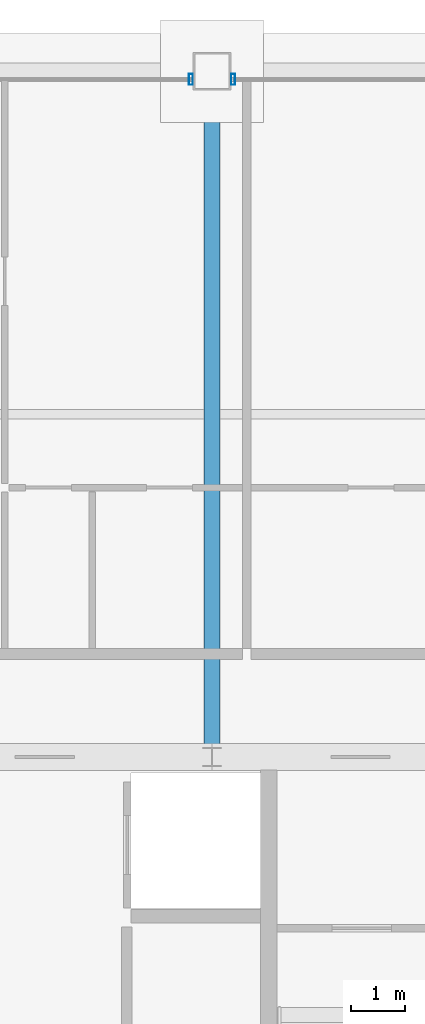
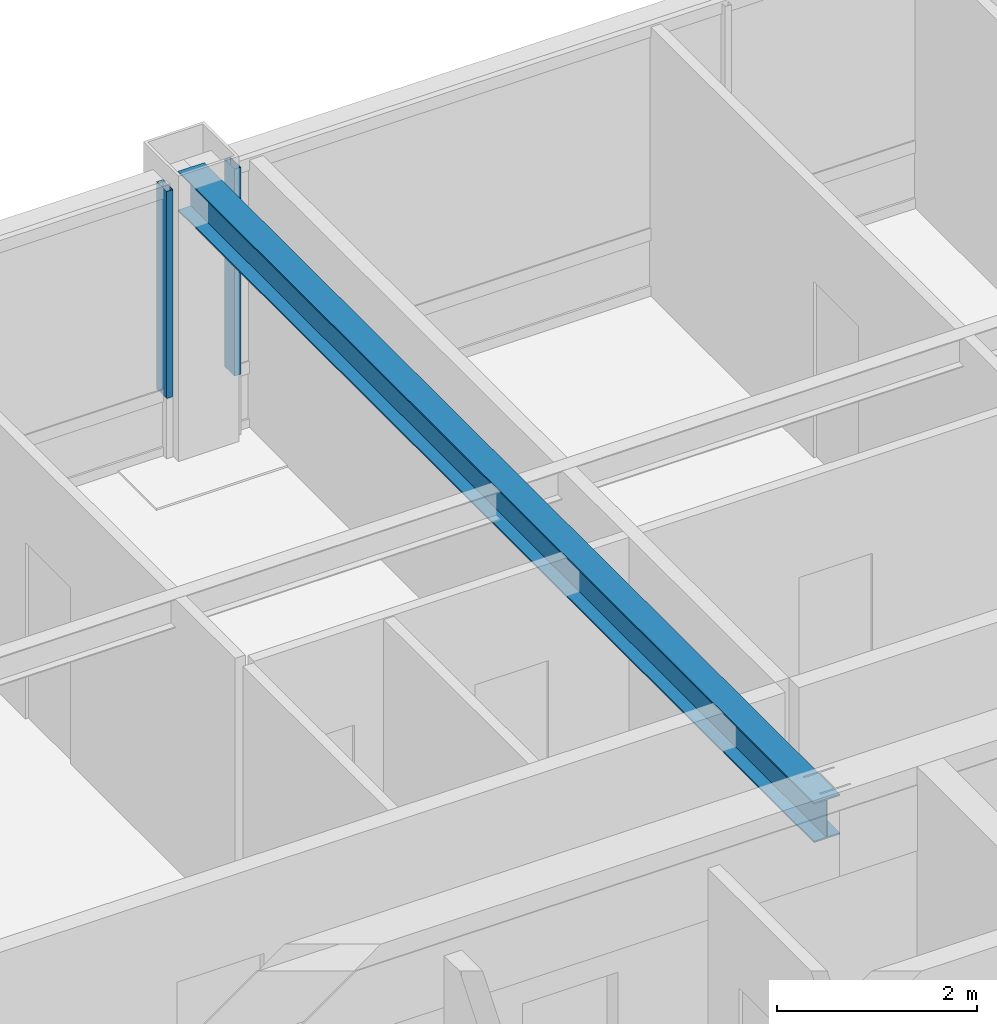
# One storey, part 18 of 35: 2 members, 1 beam, 2 elements without a shape of their own.
"""IFC4 building model written with IfcOpenShell, lengths in metres."""

from ifc_helpers import new_model, si_unit, direction, frame, origin, origin_2d, place, context, subcontext, project, spatial, hollow_rectangle, i_section, extrude, source, transform, mapped, material, layer, layer_set, material_profile, profile_set, type_object, element, aggregate, save


model = new_model("IFC4")

# Units and contexts
model_context = context("Model", 3, precision=1e-05, world=origin(), true_north=direction((0.0, 1.0)))
body_context = subcontext(model_context, "Body", "Model", "MODEL_VIEW")
ifc_project = project(units=[si_unit("LENGTHUNIT", "METRE"), si_unit("AREAUNIT", "SQUARE_METRE"), si_unit("VOLUMEUNIT", "CUBIC_METRE"), si_unit("PLANEANGLEUNIT", "RADIAN"), si_unit("MASSUNIT", "GRAM", prefix="KILO"), si_unit("THERMODYNAMICTEMPERATUREUNIT", "KELVIN"), si_unit("POWERUNIT", "WATT")], contexts=[model_context])

# Site, building, storey
site_placement = place(None, origin())
site = spatial("IfcSite", under=ifc_project, at=site_placement, CompositionType="ELEMENT")
building_placement = place(site_placement, origin())
building = spatial("IfcBuilding", under=site, at=building_placement, Name="Yuzanri Waterfront Tower", CompositionType="ELEMENT")
storey_placement = place(building_placement, frame((0.0, 0.0, 285.60009765625)))
storey = spatial("IfcBuildingStorey", under=building, at=storey_placement, Name="L76", CompositionType="ELEMENT", Elevation=285.60009765625)

# Beam
ifc_material_1 = material(Name="Steel Q355B", Category="steel")
ifc_material_profile_1 = material_profile(ifc_material_1, i_section(OverallWidth=0.300048828125, OverallDepth=0.488037109375, WebThickness=0.010986328125, FlangeThickness=0.01806640625, at=origin_2d()), Name="HM 488x300x11x18")
ifc_profile_set_1 = profile_set([ifc_material_profile_1], Name="Steel Q355B")
beam_type = type_object("IfcBeamType", Name="Primary Floor Girder Q355B HM 488x300", PredefinedType="BEAM", material=ifc_profile_set_1)
shared_shape_1 = source(origin(), body_context, "Body", "SweptSolid", [
    extrude(i_section(OverallWidth=0.300048828125, OverallDepth=0.488037109375, WebThickness=0.010986328125, FlangeThickness=0.01806640625, at=origin_2d()), origin(), (0.0, 0.0, 1.0), 12.699951171875),
])
beam_placement = place(storey_placement, frame((37.0, 32.199951171875, 3.035888671875), z_axis=(0.0, 1.0, 0.0), x_axis=(-1.0, 0.0, 0.0)))
element("IfcBeam", 1, at=beam_placement, inside=storey, type_object=beam_type, Name="L76 North Grid Girder", PredefinedType="BEAM", context=body_context, shape_type="MappedRepresentation", body=[
    mapped(shared_shape_1, transform((0.0, 0.0, 0.0), scale=1.0)),
])

# Curtain wall, member
ifc_material_2 = material(Name="Anodized Architectural Bronze", Category="metal")
ifc_layer = layer(ifc_material_2, 0.159912109375)
ifc_layer_set = layer_set([ifc_layer], Name="Anodized Architectural Bronze")
curtain_wall_type = type_object("IfcCurtainWallType", Name="Anodized Bronze High-Rise Penthouse High-Wind Unitized Curtain Wall 6900", PredefinedType="NOTDEFINED", material=ifc_layer_set)
curtain_wall_1_placement = place(storey_placement, origin())
curtain_wall_1 = element("IfcCurtainWall", 2, at=curtain_wall_1_placement, inside=storey, type_object=curtain_wall_type, Name="L76 Curtain Wall CW-L76-NL", PredefinedType="NOTDEFINED")
ifc_material_3 = material(Name="Anodized Architectural Bronze", Category="metal")
ifc_material_profile_2 = material_profile(ifc_material_3, hollow_rectangle(XDim=0.074951171875, YDim=0.199951171875, WallThickness=0.00390625, at=origin_2d()), Name="CWM 75x200")
ifc_profile_set_2 = profile_set([ifc_material_profile_2], Name="Anodized Architectural Bronze")
member_type = type_object("IfcMemberType", Name="Anodized Bronze Primary Curtain-Wall Mullion 75x200", PredefinedType="MULLION", material=ifc_profile_set_2)
shared_shape_2 = source(origin(), body_context, "Body", "SweptSolid", [
    extrude(hollow_rectangle(XDim=0.074951171875, YDim=0.199951171875, WallThickness=0.00390625, at=origin_2d()), origin(), (0.0, 0.0, 1.0), 2.52392578125),
])
member_1_placement = place(storey_placement, frame((36.610107421875, 44.75, 0.755859375), z_axis=(0.0, 0.0, 1.0), x_axis=(1.0, 0.0, 0.0)))
member_1 = element("IfcMember", 3, at=member_1_placement, type_object=member_type, Name="CW-L76-NL Upper Mullion 02", PredefinedType="MULLION", context=body_context, shape_type="MappedRepresentation", body=[
    mapped(shared_shape_2, transform((0.0, 0.0, 0.0), scale=1.0)),
])
aggregate(curtain_wall_1, [member_1])

curtain_wall_2_placement = place(storey_placement, origin())
curtain_wall_2 = element("IfcCurtainWall", 4, at=curtain_wall_2_placement, inside=storey, type_object=curtain_wall_type, Name="L76 Curtain Wall CW-L76-NR", PredefinedType="NOTDEFINED")
member_2_placement = place(storey_placement, frame((37.389892578125, 44.75, 0.755859375), z_axis=(0.0, 0.0, 1.0), x_axis=(1.0, 0.0, 0.0)))
member_2 = element("IfcMember", 5, at=member_2_placement, type_object=member_type, Name="CW-L76-NR Upper Mullion 00", PredefinedType="MULLION", context=body_context, shape_type="MappedRepresentation", body=[
    mapped(shared_shape_2, transform((0.0, 0.0, 0.0), scale=1.0)),
])
aggregate(curtain_wall_2, [member_2])

save(model, "model.ifc")
